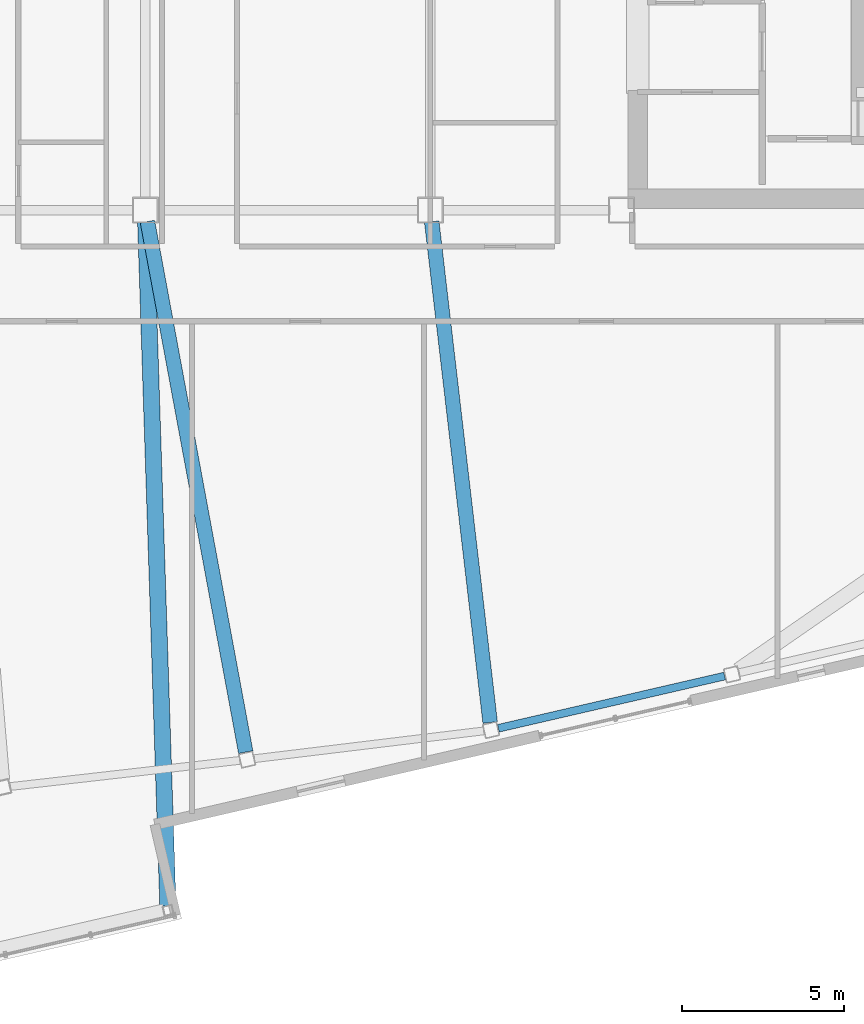
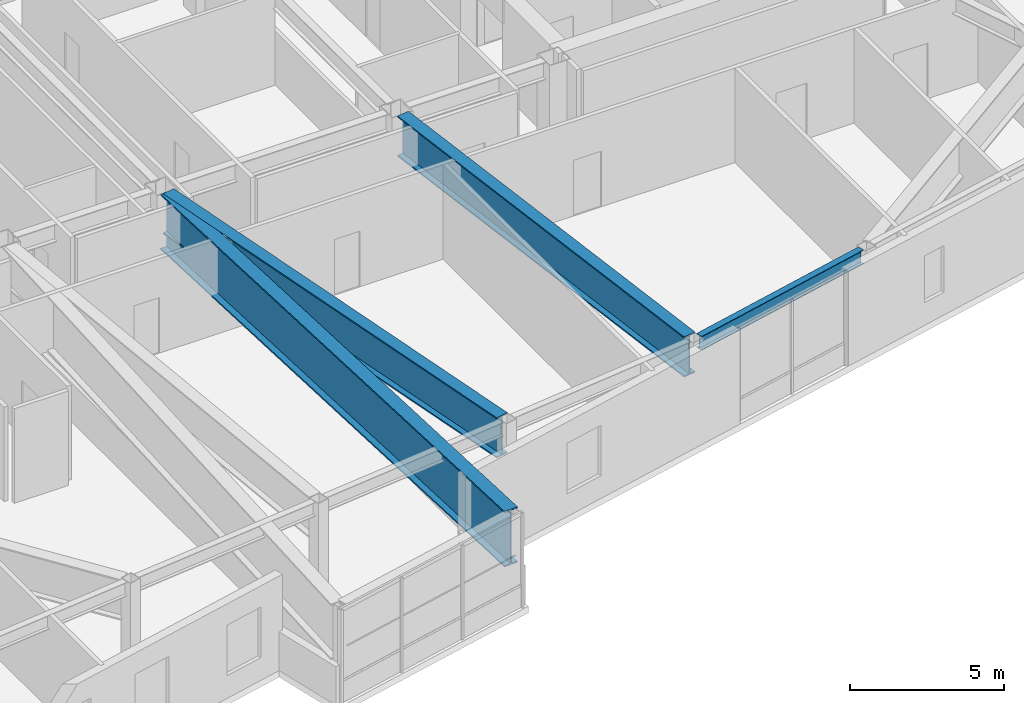
# One storey, part 9 of 23: 4 beams.
"""IFC4 building model written with IfcOpenShell, lengths in metres."""

from ifc_helpers import new_model, si_unit, direction, frame, origin, origin_2d, place, context, subcontext, project, spatial, i_section, extrude, material, material_profile, profile_set, type_object, element, save


model = new_model("IFC4")

# Units and contexts
model_context = context("Model", 3, precision=1e-05, world=origin(), true_north=direction((0.0, 1.0)))
body_context = subcontext(model_context, "Body", "Model", "MODEL_VIEW")
ifc_project = project(units=[si_unit("LENGTHUNIT", "METRE"), si_unit("AREAUNIT", "SQUARE_METRE"), si_unit("VOLUMEUNIT", "CUBIC_METRE"), si_unit("PLANEANGLEUNIT", "RADIAN"), si_unit("MASSUNIT", "GRAM", prefix="KILO")], contexts=[model_context])

# Site, building, storey
site_placement = place(None, origin())
site = spatial("IfcSite", under=ifc_project, at=site_placement, CompositionType="ELEMENT")
building_placement = place(site_placement, origin())
building = spatial("IfcBuilding", under=site, at=building_placement, Name="Tavrogorsk Clinical Tower", CompositionType="ELEMENT")
storey_placement = place(building_placement, frame((0.0, 0.0, 277.0)))
storey = spatial("IfcBuildingStorey", under=building, at=storey_placement, Name="L64", CompositionType="ELEMENT", Elevation=277.0)

# Beams
ifc_material_1 = material(Name="Structural steel S390", Category="steel")
ifc_material_profile_1 = material_profile(ifc_material_1, i_section(OverallWidth=0.239990234375, OverallDepth=0.550048828125, WebThickness=0.013916015625, FlangeThickness=0.02197265625, at=origin_2d()), Name="B-550x240x14x22")
ifc_profile_set_1 = profile_set([ifc_material_profile_1], Name="Structural steel S390")
beam_type_1 = type_object("IfcBeamType", Name="SpandrelBeam_B550", PredefinedType="SPANDREL", material=ifc_profile_set_1)
beam_1_placement = place(storey_placement, frame((6.499755859375, -22.344482421875, 3.465087890625), z_axis=(0.974369378592, 0.224954026551, 0.0), x_axis=(-0.224954026551, 0.974369378592, 0.0)))
element("IfcBeam", 1, at=beam_1_placement, inside=storey, type_object=beam_type_1, Name="L64 Perimeter Spandrel S5-S6", PredefinedType="SPANDREL", context=body_context, shape_type="SweptSolid", body=[
    extrude(i_section(OverallWidth=0.239990234375, OverallDepth=0.550048828125, WebThickness=0.013916015625, FlangeThickness=0.02197265625, at=origin_2d()), origin(), (0.0, 0.0, 1.0), 7.16845703125),
])
ifc_material_2 = material(Name="Structural steel S440", Category="steel")
ifc_material_profile_2 = material_profile(ifc_material_2, i_section(OverallWidth=0.449951171875, OverallDepth=1.60009765625, WebThickness=0.031982421875, FlangeThickness=0.050048828125, at=origin_2d()), Name="DK-1600x450x32x50")
ifc_profile_set_2 = profile_set([ifc_material_profile_2], Name="Structural steel S440")
beam_type_2 = type_object("IfcBeamType", Name="TransferGirder_DK1600", PredefinedType="USERDEFINED", material=ifc_profile_set_2)
beam_2_placement = place(storey_placement, frame((-4.33447265625, -6.703857421875, 2.93994140625), z_axis=(0.182185314471, -0.983264212301, 0.0), x_axis=(0.983264212301, 0.182185314471, 0.0)))
element("IfcBeam", 2, at=beam_2_placement, inside=storey, type_object=beam_type_2, Name="L64 Radial Floor Beam S4", ObjectType="GIRDER", PredefinedType="USERDEFINED", context=body_context, shape_type="SweptSolid", body=[
    extrude(i_section(OverallWidth=0.449951171875, OverallDepth=1.60009765625, WebThickness=0.031982421875, FlangeThickness=0.050048828125, at=origin_2d()), origin(), (0.0, 0.0, 1.0), 16.65576171875),
])
beam_3_placement = place(storey_placement, frame((4.441650390625, -6.70751953125, 2.93994140625), z_axis=(0.115913716413, -0.993259286565, 0.0), x_axis=(0.993259286565, 0.115913716413, 0.0)))
element("IfcBeam", 3, at=beam_3_placement, inside=storey, type_object=beam_type_2, Name="L64 Radial Floor Beam S5", ObjectType="GIRDER", PredefinedType="USERDEFINED", context=body_context, shape_type="SweptSolid", body=[
    extrude(i_section(OverallWidth=0.449951171875, OverallDepth=1.60009765625, WebThickness=0.031982421875, FlangeThickness=0.050048828125, at=origin_2d()), origin(), (0.0, 0.0, 1.0), 15.56298828125),
])
ifc_material_3 = material(Name="Structural steel S440", Category="steel")
ifc_material_profile_3 = material_profile(ifc_material_3, i_section(OverallWidth=0.5, OverallDepth=2.199951171875, WebThickness=0.035888671875, FlangeThickness=0.054931640625, at=origin_2d()), Name="DK-2200x500x36x55")
ifc_profile_set_3 = profile_set([ifc_material_profile_3], Name="Structural steel S440")
beam_type_3 = type_object("IfcBeamType", Name="TransferGirder_DK2200", PredefinedType="USERDEFINED", material=ifc_profile_set_3)
beam_4_placement = place(storey_placement, frame((-4.388427734375, -6.709716796875, 2.639892578125), z_axis=(0.032465127414, -0.999472868817, 0.0), x_axis=(0.999472868817, 0.032465127414, 0.0)))
element("IfcBeam", 4, at=beam_4_placement, inside=storey, type_object=beam_type_3, Name="L64 Day-Room Cantilever Beam DRB-09-R", ObjectType="GIRDER", PredefinedType="USERDEFINED", context=body_context, shape_type="SweptSolid", body=[
    extrude(i_section(OverallWidth=0.5, OverallDepth=2.199951171875, WebThickness=0.035888671875, FlangeThickness=0.054931640625, at=origin_2d()), origin(), (0.0, 0.0, 1.0), 21.1240234375),
])

save(model, "model.ifc")
